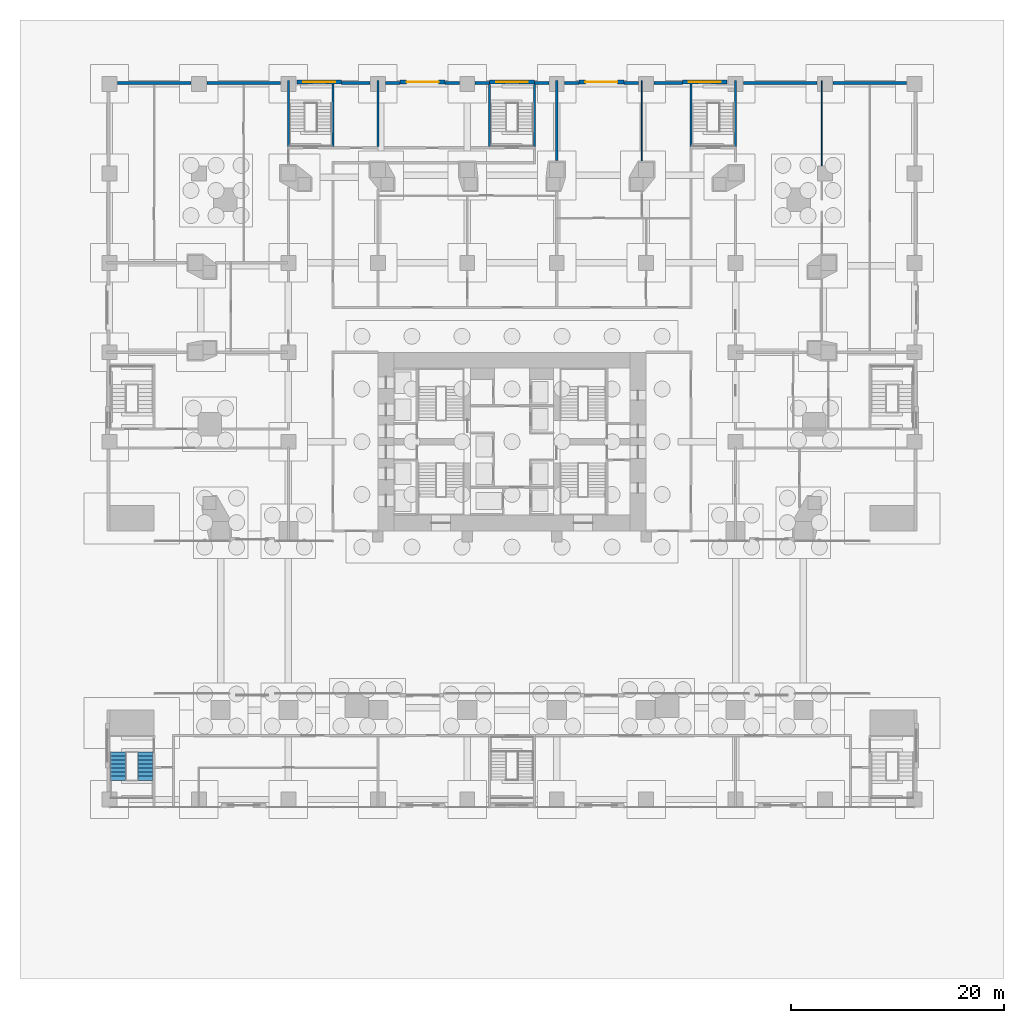
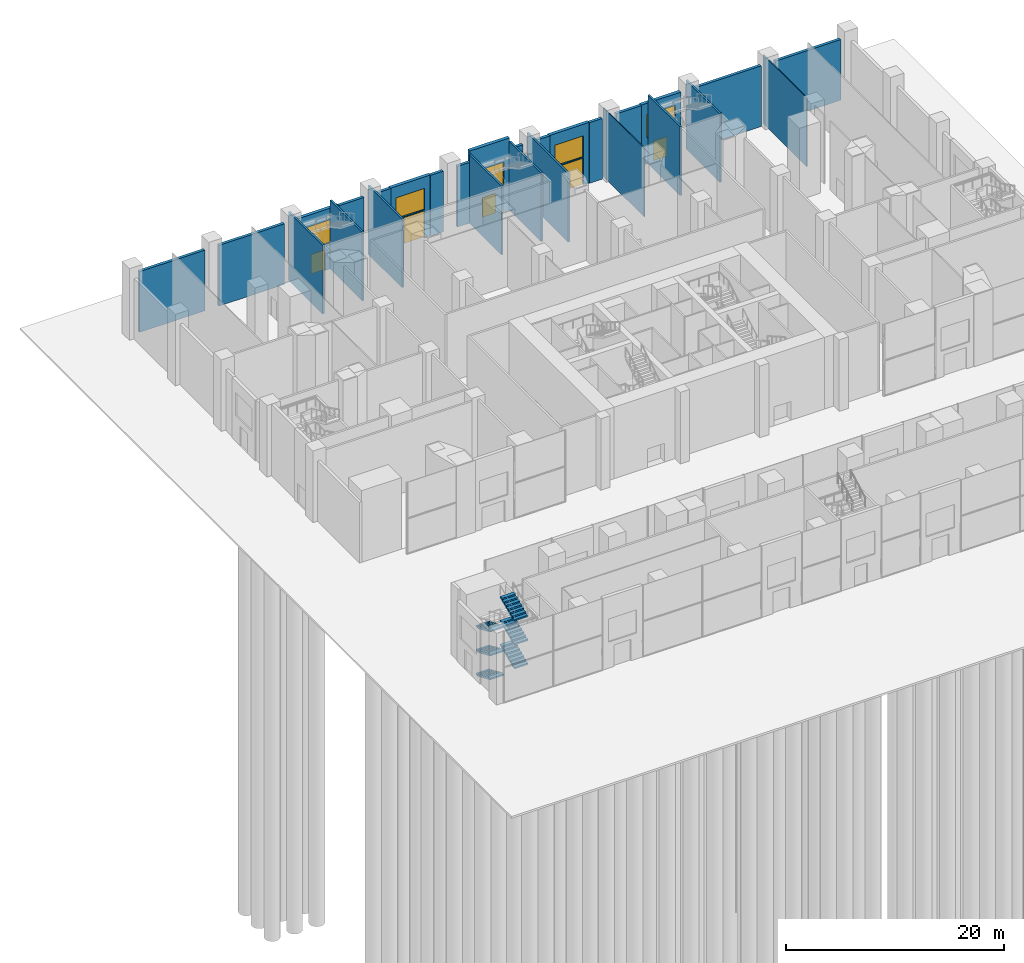
# One storey, part 20 of 31: 27 walls, 6 stair flights, 5 doors, 5 windows, 10 openings, 1 element without a shape of its own.
"""IFC4 building model written with IfcOpenShell, lengths in metres."""

from ifc_helpers import new_model, si_unit, direction, frame, frame_2d, origin, place, context, subcontext, project, spatial, polyline, rectangle, outline, extrude, material, layer, layer_set, type_object, element, fill, aggregate, save


model = new_model("IFC4")

# Units and contexts
model_context = context("Model", 3, precision=1e-05, world=origin(), true_north=direction((0.0, 1.0)))
body_context = subcontext(model_context, "Body", "Model", "MODEL_VIEW")
ifc_project = project(units=[si_unit("LENGTHUNIT", "METRE"), si_unit("AREAUNIT", "SQUARE_METRE"), si_unit("VOLUMEUNIT", "CUBIC_METRE"), si_unit("PLANEANGLEUNIT", "RADIAN"), si_unit("MASSUNIT", "GRAM", prefix="KILO")], contexts=[model_context])

# Site, building, storey
site_placement = place(None, origin())
site = spatial("IfcSite", under=ifc_project, at=site_placement, CompositionType="ELEMENT")
building_placement = place(site_placement, origin())
building = spatial("IfcBuilding", under=site, at=building_placement, Name="Marenta Gate Hotel Tower", CompositionType="ELEMENT")
storey_placement = place(building_placement, origin())
storey = spatial("IfcBuildingStorey", under=building, at=storey_placement, Name="L00", CompositionType="ELEMENT", Elevation=0.0)

# Walls
ifc_material_1 = material(Name="Concrete C40 board-marked", Category="concrete")
ifc_layer_1 = layer(ifc_material_1, 0.300048828125)
ifc_layer_set_1 = layer_set([ifc_layer_1], Name="Concrete C40 board-marked")
wall_type_1 = type_object("IfcWallType", Name="Board-marked concrete wall 300 mm", PredefinedType="NOTDEFINED", material=ifc_layer_set_1)
wall_1_placement = place(storey_placement, frame((37.06005859375, 42.090087890625, 0.0), z_axis=(0.0, 0.0, 1.0), x_axis=(-1.0, 0.0, 0.0)))
element("IfcWall", 1, at=wall_1_placement, inside=storey, type_object=wall_type_1, Name="L00-CLD-NB-N000", PredefinedType="NOTDEFINED", context=body_context, shape_type="SweptSolid", body=[
    extrude(rectangle(XDim=6.920166015625, YDim=0.300048828125, at=frame_2d((3.4599609375, 0.0))), origin(), (0.0, 0.0, 1.0), 6.780029296875),
])
wall_2_placement = place(storey_placement, frame((28.659912109375, 42.090087890625, 0.0), z_axis=(0.0, 0.0, 1.0), x_axis=(-1.0, 0.0, 0.0)))
element("IfcWall", 2, at=wall_2_placement, inside=storey, type_object=wall_type_1, Name="L00-CLD-NB-N001", PredefinedType="NOTDEFINED", context=body_context, shape_type="SweptSolid", body=[
    extrude(rectangle(XDim=6.919921875, YDim=0.300048828125, at=frame_2d((3.4599609375, 0.0))), origin(), (0.0, 0.0, 1.0), 6.780029296875),
])
wall_3_placement = place(storey_placement, frame((16.0, 42.090087890625, 0.0), z_axis=(0.0, 0.0, 1.0), x_axis=(-1.0, 0.0, 0.0)))
element("IfcWall", 3, at=wall_3_placement, inside=storey, type_object=wall_type_1, Name="L00-CLD-NB-N002", PredefinedType="NOTDEFINED", context=body_context, shape_type="SweptSolid", body=[
    extrude(rectangle(XDim=2.659912109375, YDim=0.300048828125, at=frame_2d((1.330078125, 0.0))), origin(), (0.0, 0.0, 1.0), 6.780029296875),
])
for number, where, z_axis, x_axis, name in (
    (4, (11.860107421875, 42.090087890625, 0.0), (0.0, 0.0, 1.0), (-1.0, 0.0, 0.0), "L00-CLD-NB-N003"),
    (5, (6.300048828125, 42.090087890625, 0.0), (0.0, 0.0, 1.0), (-1.0, 0.0, 0.0), "L00-CLD-NB-N004"),
):
    element("IfcWall", number, at=place(storey_placement, frame(where, z_axis=z_axis, x_axis=x_axis)), inside=storey, type_object=wall_type_1, Name=name, PredefinedType="NOTDEFINED", context=body_context, shape_type="SweptSolid", body=[
        extrude(rectangle(XDim=1.360107421875, YDim=0.300048828125, at=frame_2d((0.68017578125, 0.0))), origin(), (0.0, 0.0, 1.0), 6.780029296875),
    ])
for number, where, z_axis, x_axis, name in (
    (6, (3.4599609375, 42.090087890625, 0.0), (0.0, 0.0, 1.0), (-1.0, 0.0, 0.0), "L00-CLD-NB-N005"),
    (7, (-2.10009765625, 42.090087890625, 0.0), (0.0, 0.0, 1.0), (-1.0, 0.0, 0.0), "L00-CLD-NB-N006"),
):
    element("IfcWall", number, at=place(storey_placement, frame(where, z_axis=z_axis, x_axis=x_axis)), inside=storey, type_object=wall_type_1, Name=name, PredefinedType="NOTDEFINED", context=body_context, shape_type="SweptSolid", body=[
        extrude(rectangle(XDim=1.35986328125, YDim=0.300048828125, at=frame_2d((0.679931640625, 0.0))), origin(), (0.0, 0.0, 1.0), 6.780029296875),
    ])
for number, where, z_axis, x_axis, name in (
    (8, (-4.93994140625, 42.090087890625, 0.0), (0.0, 0.0, 1.0), (-1.0, 0.0, 0.0), "L00-CLD-NB-N007"),
    (9, (-10.5, 42.090087890625, 0.0), (0.0, 0.0, 1.0), (-1.0, 0.0, 0.0), "L00-CLD-NB-N008"),
):
    element("IfcWall", number, at=place(storey_placement, frame(where, z_axis=z_axis, x_axis=x_axis)), inside=storey, type_object=wall_type_1, Name=name, PredefinedType="NOTDEFINED", context=body_context, shape_type="SweptSolid", body=[
        extrude(rectangle(XDim=1.360107421875, YDim=0.300048828125, at=frame_2d((0.68017578125, 0.0))), origin(), (0.0, 0.0, 1.0), 6.780029296875),
    ])
wall_4_placement = place(storey_placement, frame((-13.340087890625, 42.090087890625, 0.0), z_axis=(0.0, 0.0, 1.0), x_axis=(-1.0, 0.0, 0.0)))
element("IfcWall", 10, at=wall_4_placement, inside=storey, type_object=wall_type_1, Name="L00-CLD-NB-N009", PredefinedType="NOTDEFINED", context=body_context, shape_type="SweptSolid", body=[
    extrude(rectangle(XDim=2.659912109375, YDim=0.300048828125, at=frame_2d((1.330078125, 0.0))), origin(), (0.0, 0.0, 1.0), 6.780029296875),
])
wall_5_placement = place(storey_placement, frame((-21.739990234375, 42.090087890625, 0.0), z_axis=(0.0, 0.0, 1.0), x_axis=(-1.0, 0.0, 0.0)))
element("IfcWall", 11, at=wall_5_placement, inside=storey, type_object=wall_type_1, Name="L00-CLD-NB-N010", PredefinedType="NOTDEFINED", context=body_context, shape_type="SweptSolid", body=[
    extrude(rectangle(XDim=6.919921875, YDim=0.300048828125, at=frame_2d((3.4599609375, 0.0))), origin(), (0.0, 0.0, 1.0), 6.780029296875),
])
wall_6_placement = place(storey_placement, frame((-30.139892578125, 42.090087890625, 0.0), z_axis=(0.0, 0.0, 1.0), x_axis=(-1.0, 0.0, 0.0)))
element("IfcWall", 12, at=wall_6_placement, inside=storey, type_object=wall_type_1, Name="L00-CLD-NB-N011", PredefinedType="NOTDEFINED", context=body_context, shape_type="SweptSolid", body=[
    extrude(rectangle(XDim=6.920166015625, YDim=0.300048828125, at=frame_2d((3.4599609375, 0.0))), origin(), (0.0, 0.0, 1.0), 6.780029296875),
])

# Wall, openings, door, window
ifc_material_2 = material(Name="Concrete C40 board-marked", Category="concrete")
ifc_layer_2 = layer(ifc_material_2, 0.35009765625)
ifc_layer_set_2 = layer_set([ifc_layer_2], Name="Concrete C40 board-marked")
wall_type_2 = type_object("IfcWallType", Name="Entrance portal wall 350 mm", PredefinedType="NOTDEFINED", material=ifc_layer_set_2)
wall_7_placement = place(storey_placement, frame((-6.300048828125, 42.175048828125, 0.0), z_axis=(0.0, 0.0, 1.0), x_axis=(-1.0, 0.0, 0.0)))
wall_7 = element("IfcWall", 13, at=wall_7_placement, inside=storey, type_object=wall_type_2, Name="L00-CLD-NB-N-P0", PredefinedType="NOTDEFINED", context=body_context, shape_type="SweptSolid", body=[
    extrude(rectangle(XDim=4.199951171875, YDim=0.35009765625, at=frame_2d((2.10009765625, 0.0))), origin(), (0.0, 0.0, 1.0), 6.780029296875),
])
opening_1_placement = place(wall_7_placement, frame((0.60009765625, 0.0, 0.0)))
opening_1 = element("IfcOpeningElement", 14, at=opening_1_placement, cuts=wall_7, Name="Opening X16", PredefinedType="OPENING", context=body_context, shape_type="SweptSolid", body=[
    extrude(rectangle(XDim=3.0, YDim=3.0, at=frame_2d((1.5, 1.5))), frame((0.0, 0.175048828125, 0.0), z_axis=(0.0, -1.0, 0.0), x_axis=(1.0, 0.0, 0.0)), (0.0, 0.0, 1.0), 0.35009765625),
])
opening_2_placement = place(wall_7_placement, frame((0.60009765625, 0.0, 3.10009765625)))
opening_2 = element("IfcOpeningElement", 15, at=opening_2_placement, cuts=wall_7, Name="Opening WV", PredefinedType="OPENING", context=body_context, shape_type="SweptSolid", body=[
    extrude(rectangle(XDim=3.0, YDim=2.39990234375, at=frame_2d((1.5, 1.199951171875))), frame((0.0, 0.175048828125, 0.0), z_axis=(0.0, -1.0, 0.0), x_axis=(1.0, 0.0, 0.0)), (0.0, 0.0, 1.0), 0.35009765625),
])
ifc_material_3 = material(Name="Bronze anodised aluminium and glass", Category="aluminium")
door_type_1 = type_object("IfcDoorType", Name="Exterior door XV 3000x3000", OperationType="SLIDING_TO_LEFT", PredefinedType="DOOR", material=ifc_material_3)
door_1_placement = place(opening_1_placement, frame((3.0, 0.0, 0.0), z_axis=(0.0, 0.0, 1.0), x_axis=(-1.0, 0.0, 0.0)))
door_1 = element("IfcDoor", 16, at=door_1_placement, inside=storey, type_object=door_type_1, Name="Entrance door X16", OperationType="SLIDING_TO_LEFT", OverallHeight=3.0, OverallWidth=3.0, PredefinedType="DOOR", context=body_context, shape_type="SweptSolid", body=[
    extrude(rectangle(XDim=3.0, YDim=3.0, at=frame_2d((1.5, 1.5))), frame((0.0, 0.02490234375, 0.0), z_axis=(0.0, -1.0, 0.0), x_axis=(1.0, 0.0, 0.0)), (0.0, 0.0, 1.0), 0.050048828125),
])
fill(opening_1, door_1)
ifc_material_4 = material(Name="Tinted insulated glass in bronze anodised frame", Category="glass")
window_type_1 = type_object("IfcWindowType", Name="Window WV 3000x2400 bronze frame", PartitioningType="SINGLE_PANEL", PredefinedType="WINDOW", material=ifc_material_4)
window_1_placement = place(opening_2_placement, origin())
window_1 = element("IfcWindow", 17, at=window_1_placement, inside=storey, type_object=window_type_1, Name="Window WV", OverallHeight=2.39990234375, OverallWidth=3.0, PartitioningType="SINGLE_PANEL", PredefinedType="WINDOW", context=body_context, shape_type="SweptSolid", body=[
    extrude(rectangle(XDim=3.0, YDim=2.39990234375, at=frame_2d((1.5, 1.199951171875))), frame((0.0, 0.030029296875, 0.0), z_axis=(0.0, -1.0, 0.0), x_axis=(1.0, 0.0, 0.0)), (0.0, 0.0, 1.0), 0.06005859375),
])
fill(opening_2, window_1)

wall_8_placement = place(storey_placement, frame((10.5, 42.175048828125, 0.0), z_axis=(0.0, 0.0, 1.0), x_axis=(-1.0, 0.0, 0.0)))
wall_8 = element("IfcWall", 18, at=wall_8_placement, inside=storey, type_object=wall_type_2, Name="L00-CLD-NB-N-P1", PredefinedType="NOTDEFINED", context=body_context, shape_type="SweptSolid", body=[
    extrude(rectangle(XDim=4.199951171875, YDim=0.35009765625, at=frame_2d((2.10009765625, 0.0))), origin(), (0.0, 0.0, 1.0), 6.780029296875),
])
opening_3_placement = place(wall_8_placement, frame((0.60009765625, 0.0, 0.0)))
opening_3 = element("IfcOpeningElement", 19, at=opening_3_placement, cuts=wall_8, Name="Opening X17", PredefinedType="OPENING", context=body_context, shape_type="SweptSolid", body=[
    extrude(rectangle(XDim=3.0, YDim=3.0, at=frame_2d((1.5, 1.5))), frame((0.0, 0.175048828125, 0.0), z_axis=(0.0, -1.0, 0.0), x_axis=(1.0, 0.0, 0.0)), (0.0, 0.0, 1.0), 0.35009765625),
])
opening_4_placement = place(wall_8_placement, frame((0.60009765625, 0.0, 3.10009765625)))
opening_4 = element("IfcOpeningElement", 20, at=opening_4_placement, cuts=wall_8, Name="Opening WV", PredefinedType="OPENING", context=body_context, shape_type="SweptSolid", body=[
    extrude(rectangle(XDim=3.0, YDim=2.39990234375, at=frame_2d((1.5, 1.199951171875))), frame((0.0, 0.175048828125, 0.0), z_axis=(0.0, -1.0, 0.0), x_axis=(1.0, 0.0, 0.0)), (0.0, 0.0, 1.0), 0.35009765625),
])
door_2_placement = place(opening_3_placement, frame((3.0, 0.0, 0.0), z_axis=(0.0, 0.0, 1.0), x_axis=(-1.0, 0.0, 0.0)))
door_2 = element("IfcDoor", 21, at=door_2_placement, inside=storey, type_object=door_type_1, Name="Entrance door X17", OperationType="SLIDING_TO_LEFT", OverallHeight=3.0, OverallWidth=3.0, PredefinedType="DOOR", context=body_context, shape_type="SweptSolid", body=[
    extrude(rectangle(XDim=3.0, YDim=3.0, at=frame_2d((1.5, 1.5))), frame((0.0, 0.02490234375, 0.0), z_axis=(0.0, -1.0, 0.0), x_axis=(1.0, 0.0, 0.0)), (0.0, 0.0, 1.0), 0.050048828125),
])
fill(opening_3, door_2)
window_2_placement = place(opening_4_placement, origin())
window_2 = element("IfcWindow", 22, at=window_2_placement, inside=storey, type_object=window_type_1, Name="Window WV", OverallHeight=2.39990234375, OverallWidth=3.0, PartitioningType="SINGLE_PANEL", PredefinedType="WINDOW", context=body_context, shape_type="SweptSolid", body=[
    extrude(rectangle(XDim=3.0, YDim=2.39990234375, at=frame_2d((1.5, 1.199951171875))), frame((0.0, 0.030029296875, 0.0), z_axis=(0.0, -1.0, 0.0), x_axis=(1.0, 0.0, 0.0)), (0.0, 0.0, 1.0), 0.06005859375),
])
fill(opening_4, window_2)

wall_9_placement = place(storey_placement, frame((-16.0, 42.175048828125, 0.0), z_axis=(0.0, 0.0, 1.0), x_axis=(-1.0, 0.0, 0.0)))
wall_9 = element("IfcWall", 23, at=wall_9_placement, inside=storey, type_object=wall_type_2, Name="L00-CLD-NB-N-P2", PredefinedType="NOTDEFINED", context=body_context, shape_type="SweptSolid", body=[
    extrude(rectangle(XDim=4.199951171875, YDim=0.35009765625, at=frame_2d((2.10009765625, 0.0))), origin(), (0.0, 0.0, 1.0), 6.780029296875),
])
opening_5_placement = place(wall_9_placement, frame((1.39990234375, 0.0, 0.0)))
opening_5 = element("IfcOpeningElement", 24, at=opening_5_placement, cuts=wall_9, Name="Opening X18", PredefinedType="OPENING", context=body_context, shape_type="SweptSolid", body=[
    extrude(rectangle(XDim=1.39990234375, YDim=2.199951171875, at=frame_2d((0.699951171875, 1.10009765625))), frame((0.0, 0.175048828125, 0.0), z_axis=(0.0, -1.0, 0.0), x_axis=(1.0, 0.0, 0.0)), (0.0, 0.0, 1.0), 0.35009765625),
])
opening_6_placement = place(wall_9_placement, frame((0.60009765625, 0.0, 2.89990234375)))
opening_6 = element("IfcOpeningElement", 25, at=opening_6_placement, cuts=wall_9, Name="Opening WT", PredefinedType="OPENING", context=body_context, shape_type="SweptSolid", body=[
    extrude(rectangle(XDim=3.0, YDim=2.60009765625, at=frame_2d((1.5, 1.300048828125))), frame((0.0, 0.175048828125, 0.0), z_axis=(0.0, -1.0, 0.0), x_axis=(1.0, 0.0, 0.0)), (0.0, 0.0, 1.0), 0.35009765625),
])
ifc_material_5 = material(Name="Bronze anodised aluminium and glass", Category="aluminium")
door_type_2 = type_object("IfcDoorType", Name="Exterior door XB 1400x2200", OperationType="NOTDEFINED", PredefinedType="DOOR", material=ifc_material_5)
door_3_placement = place(opening_5_placement, frame((1.39990234375, 0.0, 0.0), z_axis=(0.0, 0.0, 1.0), x_axis=(-1.0, 0.0, 0.0)))
door_3 = element("IfcDoor", 26, at=door_3_placement, inside=storey, type_object=door_type_2, Name="Entrance door X18", OperationType="SINGLE_SWING_LEFT", OverallHeight=2.199951171875, OverallWidth=1.39990234375, PredefinedType="DOOR", context=body_context, shape_type="SweptSolid", body=[
    extrude(rectangle(XDim=1.39990234375, YDim=2.199951171875, at=frame_2d((0.699951171875, 1.10009765625))), frame((0.0, 0.02490234375, 0.0), z_axis=(0.0, -1.0, 0.0), x_axis=(1.0, 0.0, 0.0)), (0.0, 0.0, 1.0), 0.050048828125),
])
fill(opening_5, door_3)
ifc_material_6 = material(Name="Tinted insulated glass in bronze anodised frame", Category="glass")
window_type_2 = type_object("IfcWindowType", Name="Window WT 3000x2600 bronze frame", PartitioningType="SINGLE_PANEL", PredefinedType="WINDOW", material=ifc_material_6)
window_3_placement = place(opening_6_placement, origin())
window_3 = element("IfcWindow", 27, at=window_3_placement, inside=storey, type_object=window_type_2, Name="Window WT", OverallHeight=2.60009765625, OverallWidth=3.0, PartitioningType="SINGLE_PANEL", PredefinedType="WINDOW", context=body_context, shape_type="SweptSolid", body=[
    extrude(rectangle(XDim=3.0, YDim=2.60009765625, at=frame_2d((1.5, 1.300048828125))), frame((0.0, 0.030029296875, 0.0), z_axis=(0.0, -1.0, 0.0), x_axis=(1.0, 0.0, 0.0)), (0.0, 0.0, 1.0), 0.06005859375),
])
fill(opening_6, window_3)

wall_10_placement = place(storey_placement, frame((2.10009765625, 42.175048828125, 0.0), z_axis=(0.0, 0.0, 1.0), x_axis=(-1.0, 0.0, 0.0)))
wall_10 = element("IfcWall", 28, at=wall_10_placement, inside=storey, type_object=wall_type_2, Name="L00-CLD-NB-N-P3", PredefinedType="NOTDEFINED", context=body_context, shape_type="SweptSolid", body=[
    extrude(rectangle(XDim=4.2001953125, YDim=0.35009765625, at=frame_2d((2.10009765625, 0.0))), origin(), (0.0, 0.0, 1.0), 8.0),
])
opening_7_placement = place(wall_10_placement, frame((1.39990234375, 0.0, 0.0)))
opening_7 = element("IfcOpeningElement", 29, at=opening_7_placement, cuts=wall_10, Name="Opening X19", PredefinedType="OPENING", context=body_context, shape_type="SweptSolid", body=[
    extrude(rectangle(XDim=1.39990234375, YDim=2.199951171875, at=frame_2d((0.699951171875, 1.10009765625))), frame((0.0, 0.175048828125, 0.0), z_axis=(0.0, -1.0, 0.0), x_axis=(1.0, 0.0, 0.0)), (0.0, 0.0, 1.0), 0.35009765625),
])
opening_8_placement = place(wall_10_placement, frame((0.60009765625, 0.0, 2.89990234375)))
opening_8 = element("IfcOpeningElement", 30, at=opening_8_placement, cuts=wall_10, Name="Opening WT", PredefinedType="OPENING", context=body_context, shape_type="SweptSolid", body=[
    extrude(rectangle(XDim=3.0, YDim=2.60009765625, at=frame_2d((1.5, 1.300048828125))), frame((0.0, 0.175048828125, 0.0), z_axis=(0.0, -1.0, 0.0), x_axis=(1.0, 0.0, 0.0)), (0.0, 0.0, 1.0), 0.35009765625),
])
door_4_placement = place(opening_7_placement, frame((1.39990234375, 0.0, 0.0), z_axis=(0.0, 0.0, 1.0), x_axis=(-1.0, 0.0, 0.0)))
door_4 = element("IfcDoor", 31, at=door_4_placement, inside=storey, type_object=door_type_2, Name="Entrance door X19", OperationType="SINGLE_SWING_LEFT", OverallHeight=2.199951171875, OverallWidth=1.39990234375, PredefinedType="DOOR", context=body_context, shape_type="SweptSolid", body=[
    extrude(rectangle(XDim=1.39990234375, YDim=2.199951171875, at=frame_2d((0.699951171875, 1.10009765625))), frame((0.0, 0.02490234375, 0.0), z_axis=(0.0, -1.0, 0.0), x_axis=(1.0, 0.0, 0.0)), (0.0, 0.0, 1.0), 0.050048828125),
])
fill(opening_7, door_4)
window_4_placement = place(opening_8_placement, origin())
window_4 = element("IfcWindow", 32, at=window_4_placement, inside=storey, type_object=window_type_2, Name="Window WT", OverallHeight=2.60009765625, OverallWidth=3.0, PartitioningType="SINGLE_PANEL", PredefinedType="WINDOW", context=body_context, shape_type="SweptSolid", body=[
    extrude(rectangle(XDim=3.0, YDim=2.60009765625, at=frame_2d((1.5, 1.300048828125))), frame((0.0, 0.030029296875, 0.0), z_axis=(0.0, -1.0, 0.0), x_axis=(1.0, 0.0, 0.0)), (0.0, 0.0, 1.0), 0.06005859375),
])
fill(opening_8, window_4)

wall_11_placement = place(storey_placement, frame((20.199951171875, 42.175048828125, 0.0), z_axis=(0.0, 0.0, 1.0), x_axis=(-1.0, 0.0, 0.0)))
wall_11 = element("IfcWall", 33, at=wall_11_placement, inside=storey, type_object=wall_type_2, Name="L00-CLD-NB-N-P4", PredefinedType="NOTDEFINED", context=body_context, shape_type="SweptSolid", body=[
    extrude(rectangle(XDim=4.199951171875, YDim=0.35009765625, at=frame_2d((2.10009765625, 0.0))), origin(), (0.0, 0.0, 1.0), 6.780029296875),
])
opening_9_placement = place(wall_11_placement, frame((1.39990234375, 0.0, 0.0)))
opening_9 = element("IfcOpeningElement", 34, at=opening_9_placement, cuts=wall_11, Name="Opening X20", PredefinedType="OPENING", context=body_context, shape_type="SweptSolid", body=[
    extrude(rectangle(XDim=1.39990234375, YDim=2.199951171875, at=frame_2d((0.699951171875, 1.10009765625))), frame((0.0, 0.175048828125, 0.0), z_axis=(0.0, -1.0, 0.0), x_axis=(1.0, 0.0, 0.0)), (0.0, 0.0, 1.0), 0.35009765625),
])
opening_10_placement = place(wall_11_placement, frame((0.60009765625, 0.0, 2.89990234375)))
opening_10 = element("IfcOpeningElement", 35, at=opening_10_placement, cuts=wall_11, Name="Opening WT", PredefinedType="OPENING", context=body_context, shape_type="SweptSolid", body=[
    extrude(rectangle(XDim=3.0, YDim=2.60009765625, at=frame_2d((1.5, 1.300048828125))), frame((0.0, 0.175048828125, 0.0), z_axis=(0.0, -1.0, 0.0), x_axis=(1.0, 0.0, 0.0)), (0.0, 0.0, 1.0), 0.35009765625),
])
door_5_placement = place(opening_9_placement, frame((1.39990234375, 0.0, 0.0), z_axis=(0.0, 0.0, 1.0), x_axis=(-1.0, 0.0, 0.0)))
door_5 = element("IfcDoor", 36, at=door_5_placement, inside=storey, type_object=door_type_2, Name="Entrance door X20", OperationType="SINGLE_SWING_RIGHT", OverallHeight=2.199951171875, OverallWidth=1.39990234375, PredefinedType="DOOR", context=body_context, shape_type="SweptSolid", body=[
    extrude(rectangle(XDim=1.39990234375, YDim=2.199951171875, at=frame_2d((0.699951171875, 1.10009765625))), frame((0.0, 0.02490234375, 0.0), z_axis=(0.0, -1.0, 0.0), x_axis=(1.0, 0.0, 0.0)), (0.0, 0.0, 1.0), 0.050048828125),
])
fill(opening_9, door_5)
window_5_placement = place(opening_10_placement, origin())
window_5 = element("IfcWindow", 37, at=window_5_placement, inside=storey, type_object=window_type_2, Name="Window WT", OverallHeight=2.60009765625, OverallWidth=3.0, PartitioningType="SINGLE_PANEL", PredefinedType="WINDOW", context=body_context, shape_type="SweptSolid", body=[
    extrude(rectangle(XDim=3.0, YDim=2.60009765625, at=frame_2d((1.5, 1.300048828125))), frame((0.0, 0.030029296875, 0.0), z_axis=(0.0, -1.0, 0.0), x_axis=(1.0, 0.0, 0.0)), (0.0, 0.0, 1.0), 0.06005859375),
])
fill(opening_10, window_5)

# Walls
ifc_material_7 = material(Name="Gypsum board on steel stud", Category="steel")
ifc_layer_3 = layer(ifc_material_7, 0.10009765625)
ifc_layer_set_3 = layer_set([ifc_layer_3], Name="Gypsum board on steel stud")
wall_type_3 = type_object("IfcWallType", Name="Room partition 100", PredefinedType="PARTITIONING", material=ifc_layer_set_3)
wall_12_placement = place(storey_placement, frame((29.10009765625, 34.320068359375, 0.0), z_axis=(0.0, 0.0, 1.0), x_axis=(0.0, 1.0, 0.0)))
element("IfcWall", 38, at=wall_12_placement, inside=storey, type_object=wall_type_3, Name="L00-PTN-W011", PredefinedType="PARTITIONING", context=body_context, shape_type="SweptSolid", body=[
    extrude(rectangle(XDim=7.97998046875, YDim=0.10009765625, at=frame_2d((3.989990234375, 0.0))), origin(), (0.0, 0.0, 1.0), 7.679931640625),
])
wall_13_placement = place(storey_placement, frame((12.199951171875, 34.7900390625, 0.0), z_axis=(0.0, 0.0, 1.0), x_axis=(0.0, 1.0, 0.0)))
element("IfcWall", 39, at=wall_13_placement, inside=storey, type_object=wall_type_3, Name="L00-PTN-W030", PredefinedType="PARTITIONING", context=body_context, shape_type="SweptSolid", body=[
    extrude(rectangle(XDim=7.510009765625, YDim=0.10009765625, at=frame_2d((3.7548828125, 0.0))), origin(), (0.0, 0.0, 1.0), 7.679931640625),
])
ifc_material_8 = material(Name="Concrete blockwork", Category="masonry")
ifc_layer_4 = layer(ifc_material_8, 0.199951171875)
ifc_layer_set_4 = layer_set([ifc_layer_4], Name="Concrete blockwork")
wall_type_4 = type_object("IfcWallType", Name="Room party wall 200 EI 120", PredefinedType="PARTITIONING", material=ifc_layer_set_4)
wall_14_placement = place(storey_placement, frame((4.199951171875, 34.7900390625, 0.0), z_axis=(0.0, 0.0, 1.0), x_axis=(0.0, 1.0, 0.0)))
element("IfcWall", 40, at=wall_14_placement, inside=storey, type_object=wall_type_4, Name="L00-PTN-W032", PredefinedType="PARTITIONING", context=body_context, shape_type="SweptSolid", body=[
    extrude(rectangle(XDim=7.510009765625, YDim=0.199951171875, at=frame_2d((3.7548828125, 0.0))), origin(), (0.0, 0.0, 1.0), 7.679931640625),
])
wall_15_placement = place(storey_placement, frame((-12.60009765625, 36.10009765625, 0.0), z_axis=(0.0, 0.0, 1.0), x_axis=(0.0, 1.0, 0.0)))
element("IfcWall", 41, at=wall_15_placement, inside=storey, type_object=wall_type_4, Name="L00-PTN-W047", PredefinedType="PARTITIONING", context=body_context, shape_type="SweptSolid", body=[
    extrude(rectangle(XDim=6.199951171875, YDim=0.199951171875, at=frame_2d((3.10009765625, 0.0))), origin(), (0.0, 0.0, 1.0), 7.679931640625),
])
ifc_material_9 = material(Name="Concrete blockwork", Category="masonry")
ifc_layer_5 = layer(ifc_material_9, 0.199951171875)
ifc_layer_set_5 = layer_set([ifc_layer_5], Name="Concrete blockwork")
wall_type_5 = type_object("IfcWallType", Name="Room party wall 200 REI 180", PredefinedType="PARTITIONING", material=ifc_layer_set_5)
wall_16_placement = place(storey_placement, frame((21.0, 36.10009765625, 0.0), z_axis=(0.0, 0.0, 1.0), x_axis=(0.0, 1.0, 0.0)))
element("IfcWall", 42, at=wall_16_placement, inside=storey, type_object=wall_type_5, Name="L00-PTN-W021", PredefinedType="PARTITIONING", context=body_context, shape_type="SweptSolid", body=[
    extrude(rectangle(XDim=6.199951171875, YDim=0.199951171875, at=frame_2d((3.10009765625, 0.0))), origin(), (0.0, 0.0, 1.0), 7.679931640625),
])
wall_17_placement = place(storey_placement, frame((16.800048828125, 36.10009765625, 0.0), z_axis=(0.0, 0.0, 1.0), x_axis=(0.0, 1.0, 0.0)))
element("IfcWall", 43, at=wall_17_placement, inside=storey, type_object=wall_type_5, Name="L00-PTN-W026", PredefinedType="PARTITIONING", context=body_context, shape_type="SweptSolid", body=[
    extrude(rectangle(XDim=5.89990234375, YDim=0.199951171875, at=frame_2d((2.949951171875, 0.0))), origin(), (0.0, 0.0, 1.0), 7.679931640625),
])
for number, where, z_axis, x_axis, name in (
    (44, (2.10009765625, 36.10009765625, 0.0), (0.0, 0.0, 1.0), (0.0, 1.0, 0.0), "L00-PTN-W034"),
    (45, (-2.10009765625, 36.10009765625, 0.0), (0.0, 0.0, 1.0), (0.0, 1.0, 0.0), "L00-PTN-W037"),
):
    element("IfcWall", number, at=place(storey_placement, frame(where, z_axis=z_axis, x_axis=x_axis)), inside=storey, type_object=wall_type_5, Name=name, PredefinedType="PARTITIONING", context=body_context, shape_type="SweptSolid", body=[
        extrude(rectangle(XDim=5.83984375, YDim=0.199951171875, at=frame_2d((2.919921875, 0.0))), origin(), (0.0, 0.0, 1.0), 7.679931640625),
    ])
wall_18_placement = place(storey_placement, frame((-16.800048828125, 36.10009765625, 0.0), z_axis=(0.0, 0.0, 1.0), x_axis=(0.0, 1.0, 0.0)))
element("IfcWall", 46, at=wall_18_placement, inside=storey, type_object=wall_type_5, Name="L00-PTN-W051", PredefinedType="PARTITIONING", context=body_context, shape_type="SweptSolid", body=[
    extrude(rectangle(XDim=5.89990234375, YDim=0.199951171875, at=frame_2d((2.949951171875, 0.0))), origin(), (0.0, 0.0, 1.0), 7.679931640625),
])
wall_19_placement = place(storey_placement, frame((-21.0, 36.10009765625, 0.0), z_axis=(0.0, 0.0, 1.0), x_axis=(0.0, 1.0, 0.0)))
element("IfcWall", 47, at=wall_19_placement, inside=storey, type_object=wall_type_5, Name="L00-PTN-W059", PredefinedType="PARTITIONING", context=body_context, shape_type="SweptSolid", body=[
    extrude(rectangle(XDim=6.199951171875, YDim=0.199951171875, at=frame_2d((3.10009765625, 0.0))), origin(), (0.0, 0.0, 1.0), 7.679931640625),
])

# Stair, stair flights
ifc_material_10 = material(Name="Concrete C40", Category="concrete")
stair_type = type_object("IfcStairType", Name="Podium exit stair 1430 wide", PredefinedType="HALF_TURN_STAIR", material=ifc_material_10)
stair_placement = place(storey_placement, origin())
stair = element("IfcStair", 48, at=stair_placement, inside=storey, type_object=stair_type, Name="Podium exit stair 1", PredefinedType="HALF_TURN_STAIR")
ifc_material_11 = material(Name="Concrete C40", Category="concrete")
stair_flight_type = type_object("IfcStairFlightType", Name="Podium stair flight 1430 riser 166.7 going 380", PredefinedType="STRAIGHT", material=ifc_material_11)
stair_flight_1_placement = place(storey_placement, frame((-36.985107421875, -20.72998046875, 0.0), z_axis=(0.0, 0.0, 1.0), x_axis=(0.0, -1.0, 0.0)))
stair_flight_1 = element("IfcStairFlight", 49, at=stair_flight_1_placement, type_object=stair_flight_type, Name="PX1 flight 1", NumberOfRisers=8, NumberOfTreads=7, PredefinedType="STRAIGHT", RiserHeight=0.166667, TreadLength=0.38, context=body_context, shape_type="SweptSolid", body=[
    extrude(outline(polyline([(0.0, 0.0), (0.0, 0.166748046875), (0.3798828125, 0.166748046875), (0.3798828125, 0.333251953125), (0.760009765625, 0.333251953125), (0.760009765625, 0.5), (1.139892578125, 0.5), (1.139892578125, 0.666748046875), (1.52001953125, 0.666748046875), (1.52001953125, 0.833251953125), (1.89990234375, 0.833251953125), (1.89990234375, 1.0), (2.280029296875, 1.0), (2.280029296875, 1.166748046875), (2.659912109375, 1.166748046875), (2.659912109375, 1.333251953125), (2.659912109375, 1.0029296875), (0.373291015625, 0.0), (0.0, 0.0)])), frame((0.0, 0.71484375, 0.0), z_axis=(0.0, -1.0, 0.0), x_axis=(1.0, 0.0, 0.0)), (0.0, 0.0, 1.0), 1.429931640625),
])
stair_flight_2_placement = place(storey_placement, frame((-34.4150390625, -23.389892578125, 1.333251953125), z_axis=(0.0, 0.0, 1.0), x_axis=(0.0, 1.0, 0.0)))
stair_flight_2 = element("IfcStairFlight", 50, at=stair_flight_2_placement, type_object=stair_flight_type, Name="PX1 flight 2", NumberOfRisers=8, NumberOfTreads=7, PredefinedType="STRAIGHT", RiserHeight=0.166667, TreadLength=0.38, context=body_context, shape_type="SweptSolid", body=[
    extrude(outline(polyline([(0.0, 0.0), (0.0, 0.166748046875), (0.3798828125, 0.166748046875), (0.3798828125, 0.333251953125), (0.760009765625, 0.333251953125), (0.760009765625, 0.5), (1.139892578125, 0.5), (1.139892578125, 0.666748046875), (1.52001953125, 0.666748046875), (1.52001953125, 0.833251953125), (1.89990234375, 0.833251953125), (1.89990234375, 1.0), (2.280029296875, 1.0), (2.280029296875, 1.166748046875), (2.659912109375, 1.166748046875), (2.659912109375, 1.333251953125), (2.659912109375, 1.0029296875), (0.373291015625, 0.0), (0.0, 0.0)])), frame((0.0, 0.71484375, 0.0), z_axis=(0.0, -1.0, 0.0), x_axis=(1.0, 0.0, 0.0)), (0.0, 0.0, 1.0), 1.429931640625),
])
stair_flight_3_placement = place(storey_placement, frame((-36.985107421875, -20.72998046875, 2.666748046875), z_axis=(0.0, 0.0, 1.0), x_axis=(0.0, -1.0, 0.0)))
stair_flight_3 = element("IfcStairFlight", 51, at=stair_flight_3_placement, type_object=stair_flight_type, Name="PX1 flight 3", NumberOfRisers=8, NumberOfTreads=7, PredefinedType="STRAIGHT", RiserHeight=0.166667, TreadLength=0.38, context=body_context, shape_type="SweptSolid", body=[
    extrude(outline(polyline([(0.0, 0.0), (0.0, 0.166748046875), (0.3798828125, 0.166748046875), (0.3798828125, 0.333251953125), (0.760009765625, 0.333251953125), (0.760009765625, 0.5), (1.139892578125, 0.5), (1.139892578125, 0.666748046875), (1.52001953125, 0.666748046875), (1.52001953125, 0.833251953125), (1.89990234375, 0.833251953125), (1.89990234375, 1.0), (2.280029296875, 1.0), (2.280029296875, 1.166748046875), (2.659912109375, 1.166748046875), (2.659912109375, 1.333251953125), (2.659912109375, 1.0029296875), (0.373291015625, 0.0), (0.0, 0.0)])), frame((0.0, 0.71484375, 0.0), z_axis=(0.0, -1.0, 0.0), x_axis=(1.0, 0.0, 0.0)), (0.0, 0.0, 1.0), 1.429931640625),
])
stair_flight_4_placement = place(storey_placement, frame((-34.4150390625, -23.389892578125, 4.0), z_axis=(0.0, 0.0, 1.0), x_axis=(0.0, 1.0, 0.0)))
stair_flight_4 = element("IfcStairFlight", 52, at=stair_flight_4_placement, type_object=stair_flight_type, Name="PX1 flight 4", NumberOfRisers=8, NumberOfTreads=7, PredefinedType="STRAIGHT", RiserHeight=0.166667, TreadLength=0.38, context=body_context, shape_type="SweptSolid", body=[
    extrude(outline(polyline([(0.0, 0.0), (0.0, 0.166748046875), (0.3798828125, 0.166748046875), (0.3798828125, 0.333251953125), (0.760009765625, 0.333251953125), (0.760009765625, 0.5), (1.139892578125, 0.5), (1.139892578125, 0.666748046875), (1.52001953125, 0.666748046875), (1.52001953125, 0.833251953125), (1.89990234375, 0.833251953125), (1.89990234375, 1.0), (2.280029296875, 1.0), (2.280029296875, 1.166748046875), (2.659912109375, 1.166748046875), (2.659912109375, 1.333251953125), (2.659912109375, 1.0029296875), (0.373291015625, 0.0), (0.0, 0.0)])), frame((0.0, 0.71484375, 0.0), z_axis=(0.0, -1.0, 0.0), x_axis=(1.0, 0.0, 0.0)), (0.0, 0.0, 1.0), 1.429931640625),
])
stair_flight_5_placement = place(storey_placement, frame((-36.985107421875, -20.72998046875, 5.333251953125), z_axis=(0.0, 0.0, 1.0), x_axis=(0.0, -1.0, 0.0)))
stair_flight_5 = element("IfcStairFlight", 53, at=stair_flight_5_placement, type_object=stair_flight_type, Name="PX1 flight 5", NumberOfRisers=8, NumberOfTreads=7, PredefinedType="STRAIGHT", RiserHeight=0.166667, TreadLength=0.38, context=body_context, shape_type="SweptSolid", body=[
    extrude(outline(polyline([(0.0, 0.0), (0.0, 0.166748046875), (0.3798828125, 0.166748046875), (0.3798828125, 0.333251953125), (0.760009765625, 0.333251953125), (0.760009765625, 0.5), (1.139892578125, 0.5), (1.139892578125, 0.666748046875), (1.52001953125, 0.666748046875), (1.52001953125, 0.833251953125), (1.89990234375, 0.833251953125), (1.89990234375, 1.0), (2.280029296875, 1.0), (2.280029296875, 1.166748046875), (2.659912109375, 1.166748046875), (2.659912109375, 1.333251953125), (2.659912109375, 1.0029296875), (0.373291015625, 0.0), (0.0, 0.0)])), frame((0.0, 0.71484375, 0.0), z_axis=(0.0, -1.0, 0.0), x_axis=(1.0, 0.0, 0.0)), (0.0, 0.0, 1.0), 1.429931640625),
])
stair_flight_6_placement = place(storey_placement, frame((-34.4150390625, -23.389892578125, 6.666748046875), z_axis=(0.0, 0.0, 1.0), x_axis=(0.0, 1.0, 0.0)))
stair_flight_6 = element("IfcStairFlight", 54, at=stair_flight_6_placement, type_object=stair_flight_type, Name="PX1 flight 6", NumberOfRisers=8, NumberOfTreads=7, PredefinedType="STRAIGHT", RiserHeight=0.166667, TreadLength=0.38, context=body_context, shape_type="SweptSolid", body=[
    extrude(outline(polyline([(0.0, 0.0), (0.0, 0.166748046875), (0.3798828125, 0.166748046875), (0.3798828125, 0.333251953125), (0.760009765625, 0.333251953125), (0.760009765625, 0.5), (1.139892578125, 0.5), (1.139892578125, 0.666748046875), (1.52001953125, 0.666748046875), (1.52001953125, 0.833251953125), (1.89990234375, 0.833251953125), (1.89990234375, 1.0), (2.280029296875, 1.0), (2.280029296875, 1.166748046875), (2.659912109375, 1.166748046875), (2.659912109375, 1.333251953125), (2.659912109375, 1.0029296875), (0.373291015625, 0.0), (0.0, 0.0)])), frame((0.0, 0.71484375, 0.0), z_axis=(0.0, -1.0, 0.0), x_axis=(1.0, 0.0, 0.0)), (0.0, 0.0, 1.0), 1.429931640625),
])
aggregate(stair, [stair_flight_1, stair_flight_2, stair_flight_3, stair_flight_4, stair_flight_5, stair_flight_6])

save(model, "model.ifc")
